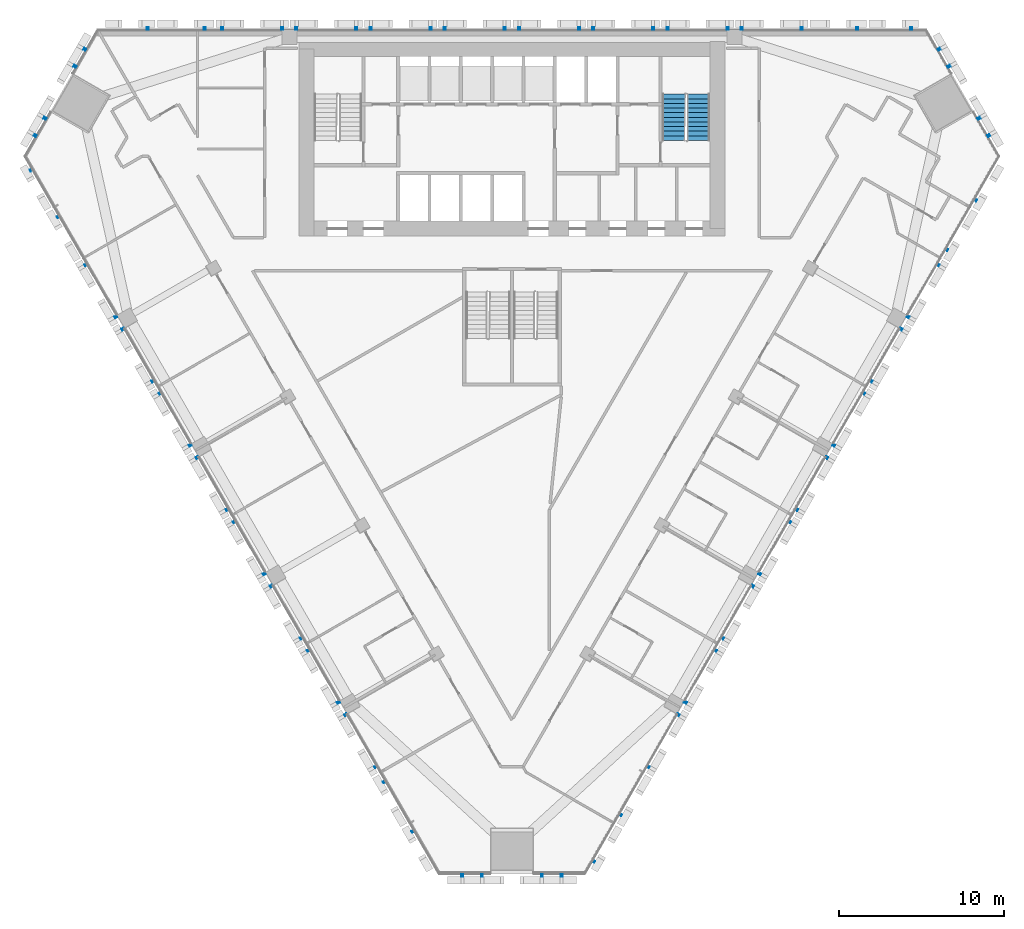
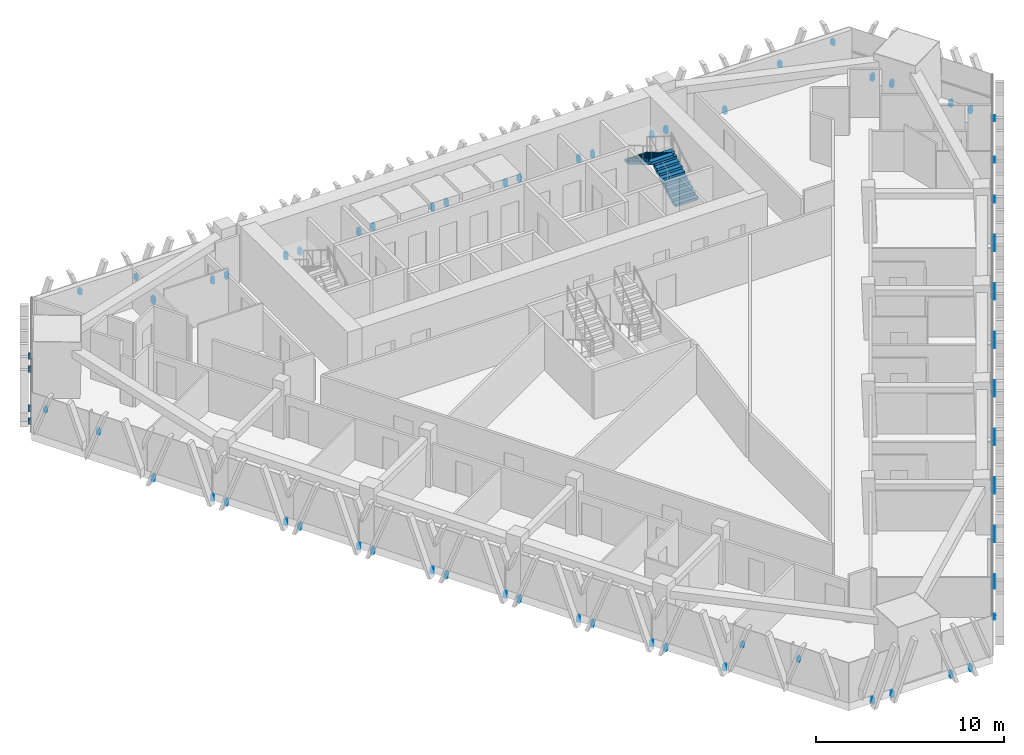
# One storey, part 13 of 16: 6 discrete accessories, 2 stair flights, 1 element without a shape of its own.
"""IFC4 building model written with IfcOpenShell, lengths in metres."""

from ifc_helpers import new_model, si_unit, direction, frame, origin, place, context, subcontext, project, spatial, polyline, outline, extrude, source, transform, mapped, material, type_object, element, aggregate, save


model = new_model("IFC4")

# Units and contexts
model_context = context("Model", 3, precision=1e-05, world=origin(), true_north=direction((0.0, 1.0)))
body_context = subcontext(model_context, "Body", "Model", "MODEL_VIEW")
ifc_project = project(units=[si_unit("LENGTHUNIT", "METRE"), si_unit("AREAUNIT", "SQUARE_METRE"), si_unit("VOLUMEUNIT", "CUBIC_METRE"), si_unit("PLANEANGLEUNIT", "RADIAN"), si_unit("MASSUNIT", "GRAM", prefix="KILO")], contexts=[model_context])

# Site, building, storey
site_placement = place(None, origin())
site = spatial("IfcSite", under=ifc_project, at=site_placement, CompositionType="ELEMENT")
building_placement = place(site_placement, origin())
building = spatial("IfcBuilding", under=site, at=building_placement, Name="Altiplano Prism Tower", CompositionType="ELEMENT")
storey_placement = place(building_placement, frame((0.0, 0.0, 81.0)))
storey = spatial("IfcBuildingStorey", under=building, at=storey_placement, Name="L20", CompositionType="ELEMENT", Elevation=81.0)

# Stair, stair flights
ifc_material_1 = material(Name="Concrete C40/50", Category="concrete")
stair_type = type_object("IfcStairType", Name="Exit stair 1400", PredefinedType="HALF_TURN_STAIR", material=ifc_material_1)
stair_placement = place(storey_placement, origin())
stair = element("IfcStair", 1, at=stair_placement, inside=storey, type_object=stair_type, Name="L20 Exit Stair 2", PredefinedType="HALF_TURN_STAIR")
stair_flight_type = type_object("IfcStairFlightType", Name="Stair flight concrete 150", PredefinedType="STRAIGHT", material=ifc_material_1)
stair_flight_1_placement = place(storey_placement, frame((96.300048828125, 98.300048828125, 0.0), z_axis=(0.0, 0.0, 1.0), x_axis=(0.0, 1.0, 0.0)))
stair_flight_1 = element("IfcStairFlight", 2, at=stair_flight_1_placement, type_object=stair_flight_type, Name="ST2 flight 1", NumberOfRisers=11, NumberOfTreads=10, PredefinedType="STRAIGHT", RiserHeight=0.163636364, TreadLength=0.28, context=body_context, shape_type="SweptSolid", body=[
    extrude(outline(polyline([(0.0, 0.0), (0.0, 0.16357421875), (0.280029296875, 0.16357421875), (0.280029296875, 0.327392578125), (0.56005859375, 0.327392578125), (0.56005859375, 0.490966796875), (0.840087890625, 0.490966796875), (0.840087890625, 0.654541015625), (1.1201171875, 0.654541015625), (1.1201171875, 0.818115234375), (1.39990234375, 0.818115234375), (1.39990234375, 0.98193359375), (1.679931640625, 0.98193359375), (1.679931640625, 1.1455078125), (1.9599609375, 1.1455078125), (1.9599609375, 1.30908203125), (2.239990234375, 1.30908203125), (2.239990234375, 1.47265625), (2.52001953125, 1.47265625), (2.52001953125, 1.636474609375), (2.800048828125, 1.636474609375), (2.800048828125, 1.800048828125), (2.800048828125, 1.462646484375), (0.297119140625, 0.0), (0.0, 0.0)])), frame((0.0, 0.699951171875, 0.0), z_axis=(0.0, -1.0, 0.0), x_axis=(1.0, 0.0, 0.0)), (0.0, 0.0, 1.0), 1.39990234375),
])
stair_flight_2_placement = place(storey_placement, frame((94.800048828125, 101.10009765625, 1.800048828125), z_axis=(0.0, 0.0, 1.0), x_axis=(0.0, -1.0, 0.0)))
stair_flight_2 = element("IfcStairFlight", 3, at=stair_flight_2_placement, type_object=stair_flight_type, Name="ST2 flight 2", NumberOfRisers=11, NumberOfTreads=10, PredefinedType="STRAIGHT", RiserHeight=0.163636364, TreadLength=0.28, context=body_context, shape_type="SweptSolid", body=[
    extrude(outline(polyline([(0.0, 0.0), (0.0, 0.16357421875), (0.280029296875, 0.16357421875), (0.280029296875, 0.327392578125), (0.56005859375, 0.327392578125), (0.56005859375, 0.490966796875), (0.840087890625, 0.490966796875), (0.840087890625, 0.654541015625), (1.1201171875, 0.654541015625), (1.1201171875, 0.818115234375), (1.39990234375, 0.818115234375), (1.39990234375, 0.98193359375), (1.679931640625, 0.98193359375), (1.679931640625, 1.1455078125), (1.9599609375, 1.1455078125), (1.9599609375, 1.30908203125), (2.239990234375, 1.30908203125), (2.239990234375, 1.47265625), (2.52001953125, 1.47265625), (2.52001953125, 1.636474609375), (2.800048828125, 1.636474609375), (2.800048828125, 1.800048828125), (2.800048828125, 1.462646484375), (0.297119140625, 0.0), (0.0, 0.0)])), frame((0.0, 0.699951171875, 0.0), z_axis=(0.0, -1.0, 0.0), x_axis=(1.0, 0.0, 0.0)), (0.0, 0.0, 1.0), 1.39990234375),
])
aggregate(stair, [stair_flight_1, stair_flight_2])

# Discrete accessories
ifc_material_2 = material(Name="Stainless steel", Category="steel")
discrete_accessory_type = type_object("IfcDiscreteAccessoryType", Name="Stone fin fixing prongs", PredefinedType="USERDEFINED", material=ifc_material_2)
shared_shape_1 = source(origin(), body_context, "Body", "SweptSolid", [
    extrude(outline(polyline([(-1.11181640625, 2.20849609375), (-0.991943359375, 2.20849609375), (-0.991943359375, 2.508544921875), (-1.11181640625, 2.508544921875), (-1.11181640625, 2.20849609375)])), frame((0.0, 0.0, 0.0), z_axis=(0.0, -1.0, 0.0), x_axis=(1.0, 0.0, 0.0)), (0.0, 0.0, 1.0), 0.14990234375),
])
shared_shape_2 = source(origin(), body_context, "Body", "SweptSolid", [
    extrude(outline(polyline([(-1.21142578125, 1.934814453125), (-1.091552734375, 1.934814453125), (-1.091552734375, 2.234619140625), (-1.21142578125, 2.234619140625), (-1.21142578125, 1.934814453125)])), frame((0.0, 0.0, 0.0), z_axis=(0.0, -1.0, 0.0), x_axis=(1.0, 0.0, 0.0)), (0.0, 0.0, 1.0), 0.14990234375),
])
shared_shape_3 = source(origin(), body_context, "Body", "SweptSolid", [
    extrude(outline(polyline([(-1.87939453125, 0.06005859375), (-1.75927734375, 0.06005859375), (-1.75927734375, 0.43994140625), (-1.87939453125, 0.43994140625), (-1.87939453125, 0.06005859375)])), frame((0.0, 0.0, 0.0), z_axis=(0.0, -1.0, 0.0), x_axis=(1.0, 0.0, 0.0)), (0.0, 0.0, 1.0), 0.14990234375),
    extrude(outline(polyline([(1.75927734375, 0.06005859375), (1.87939453125, 0.06005859375), (1.87939453125, 0.43994140625), (1.75927734375, 0.43994140625), (1.75927734375, 0.06005859375)])), frame((0.0, 0.0, 0.0), z_axis=(0.0, -1.0, 0.0), x_axis=(1.0, 0.0, 0.0)), (0.0, 0.0, 1.0), 0.14990234375),
])
discrete_accessory_1_placement = place(storey_placement, origin())
element("IfcDiscreteAccessory", 4, at=discrete_accessory_1_placement, inside=storey, type_object=discrete_accessory_type, Name="Fin fixings L20 north face", ObjectType="BRACKET", PredefinedType="USERDEFINED", context=body_context, shape_type="MappedRepresentation", body=[
    mapped(shared_shape_1, transform((108.14599609375, 105.0, -0.5), x_axis=(-1.0, 0.0, 0.0), y_axis=(0.0, -1.0, 0.0), z_axis=(0.0, 0.0, 1.0))),
    mapped(shared_shape_2, transform((104.781982421875, 105.0, -0.5), x_axis=(-1.0, 0.0, 0.0), y_axis=(0.0, -1.0, 0.0), z_axis=(0.0, 0.0, 1.0))),
    mapped(shared_shape_3, transform((100.75, 105.0, -0.5), x_axis=(-1.0, 0.0, 0.0), y_axis=(0.0, -1.0, 0.0), z_axis=(0.0, 0.0, 1.0))),
    mapped(shared_shape_3, transform((96.25, 105.0, -0.5), x_axis=(-1.0, 0.0, 0.0), y_axis=(0.0, -1.0, 0.0), z_axis=(0.0, 0.0, 1.0))),
    mapped(shared_shape_3, transform((91.75, 105.0, -0.5), x_axis=(-1.0, 0.0, 0.0), y_axis=(0.0, -1.0, 0.0), z_axis=(0.0, 0.0, 1.0))),
    mapped(shared_shape_3, transform((87.25, 105.0, -0.5), x_axis=(-1.0, 0.0, 0.0), y_axis=(0.0, -1.0, 0.0), z_axis=(0.0, 0.0, 1.0))),
    mapped(shared_shape_3, transform((82.75, 105.0, -0.5), x_axis=(-1.0, 0.0, 0.0), y_axis=(0.0, -1.0, 0.0), z_axis=(0.0, 0.0, 1.0))),
    mapped(shared_shape_3, transform((78.25, 105.0, -0.5), x_axis=(-1.0, 0.0, 0.0), y_axis=(0.0, -1.0, 0.0), z_axis=(0.0, 0.0, 1.0))),
    mapped(shared_shape_3, transform((73.75, 105.0, -0.5), x_axis=(-1.0, 0.0, 0.0), y_axis=(0.0, -1.0, 0.0), z_axis=(0.0, 0.0, 1.0))),
    mapped(shared_shape_3, transform((69.25, 105.0, -0.5), x_axis=(-1.0, 0.0, 0.0), y_axis=(0.0, -1.0, 0.0), z_axis=(0.0, 0.0, 1.0))),
    mapped(shared_shape_2, transform((65.218017578125, 105.0, -0.5), x_axis=(-1.0, 0.0, 0.0), y_axis=(0.0, -1.0, 0.0), z_axis=(0.0, 0.0, 1.0))),
    mapped(shared_shape_1, transform((61.85400390625, 105.0, -0.5), x_axis=(-1.0, 0.0, 0.0), y_axis=(0.0, -1.0, 0.0), z_axis=(0.0, 0.0, 1.0))),
])
discrete_accessory_2_placement = place(storey_placement, origin())
element("IfcDiscreteAccessory", 5, at=discrete_accessory_2_placement, inside=storey, type_object=discrete_accessory_type, Name="Fin fixings L20 south-west face", ObjectType="BRACKET", PredefinedType="USERDEFINED", context=body_context, shape_type="MappedRepresentation", body=[
    mapped(shared_shape_1, transform((56.4404296875, 95.623291015625, -0.5), x_axis=(0.500000006139, -0.86602540024, 0.0), y_axis=(0.86602540024, 0.500000006139, 0.0), z_axis=(0.0, 0.0, 1.0))),
    mapped(shared_shape_2, transform((58.122314453125, 92.7099609375, -0.5), x_axis=(0.500000006139, -0.86602540024, 0.0), y_axis=(0.86602540024, 0.500000006139, 0.0), z_axis=(0.0, 0.0, 1.0))),
    mapped(shared_shape_3, transform((60.138427734375, 89.218017578125, -0.5), x_axis=(0.500000006139, -0.86602540024, 0.0), y_axis=(0.86602540024, 0.500000006139, 0.0), z_axis=(0.0, 0.0, 1.0))),
    mapped(shared_shape_3, transform((62.388427734375, 85.321044921875, -0.5), x_axis=(0.500000006139, -0.86602540024, 0.0), y_axis=(0.86602540024, 0.500000006139, 0.0), z_axis=(0.0, 0.0, 1.0))),
    mapped(shared_shape_3, transform((64.638427734375, 81.423828125, -0.5), x_axis=(0.500000006139, -0.86602540024, 0.0), y_axis=(0.86602540024, 0.500000006139, 0.0), z_axis=(0.0, 0.0, 1.0))),
    mapped(shared_shape_3, transform((66.888427734375, 77.52685546875, -0.5), x_axis=(0.500000006139, -0.86602540024, 0.0), y_axis=(0.86602540024, 0.500000006139, 0.0), z_axis=(0.0, 0.0, 1.0))),
    mapped(shared_shape_3, transform((69.138427734375, 73.629638671875, -0.5), x_axis=(0.500000006139, -0.86602540024, 0.0), y_axis=(0.86602540024, 0.500000006139, 0.0), z_axis=(0.0, 0.0, 1.0))),
    mapped(shared_shape_3, transform((71.388427734375, 69.732421875, -0.5), x_axis=(0.500000006139, -0.86602540024, 0.0), y_axis=(0.86602540024, 0.500000006139, 0.0), z_axis=(0.0, 0.0, 1.0))),
    mapped(shared_shape_3, transform((73.638427734375, 65.83544921875, -0.5), x_axis=(0.500000006139, -0.86602540024, 0.0), y_axis=(0.86602540024, 0.500000006139, 0.0), z_axis=(0.0, 0.0, 1.0))),
    mapped(shared_shape_3, transform((75.888427734375, 61.938232421875, -0.5), x_axis=(0.500000006139, -0.86602540024, 0.0), y_axis=(0.86602540024, 0.500000006139, 0.0), z_axis=(0.0, 0.0, 1.0))),
    mapped(shared_shape_2, transform((77.904296875, 58.446533203125, -0.5), x_axis=(0.500000006139, -0.86602540024, 0.0), y_axis=(0.86602540024, 0.500000006139, 0.0), z_axis=(0.0, 0.0, 1.0))),
    mapped(shared_shape_1, transform((79.586181640625, 55.533203125, -0.5), x_axis=(0.500000006139, -0.86602540024, 0.0), y_axis=(0.86602540024, 0.500000006139, 0.0), z_axis=(0.0, 0.0, 1.0))),
])
discrete_accessory_3_placement = place(storey_placement, origin())
element("IfcDiscreteAccessory", 6, at=discrete_accessory_3_placement, inside=storey, type_object=discrete_accessory_type, Name="Fin fixings L20 south-east face", ObjectType="BRACKET", PredefinedType="USERDEFINED", context=body_context, shape_type="MappedRepresentation", body=[
    mapped(shared_shape_1, transform((90.413818359375, 55.533203125, -0.5), x_axis=(0.500000006139, 0.86602540024, 0.0), y_axis=(-0.86602540024, 0.500000006139, 0.0), z_axis=(0.0, 0.0, 1.0))),
    mapped(shared_shape_2, transform((92.095703125, 58.446533203125, -0.5), x_axis=(0.500000006139, 0.86602540024, 0.0), y_axis=(-0.86602540024, 0.500000006139, 0.0), z_axis=(0.0, 0.0, 1.0))),
    mapped(shared_shape_3, transform((94.111572265625, 61.938232421875, -0.5), x_axis=(0.500000006139, 0.86602540024, 0.0), y_axis=(-0.86602540024, 0.500000006139, 0.0), z_axis=(0.0, 0.0, 1.0))),
    mapped(shared_shape_3, transform((96.361572265625, 65.83544921875, -0.5), x_axis=(0.500000006139, 0.86602540024, 0.0), y_axis=(-0.86602540024, 0.500000006139, 0.0), z_axis=(0.0, 0.0, 1.0))),
    mapped(shared_shape_3, transform((98.611572265625, 69.732421875, -0.5), x_axis=(0.500000006139, 0.86602540024, 0.0), y_axis=(-0.86602540024, 0.500000006139, 0.0), z_axis=(0.0, 0.0, 1.0))),
    mapped(shared_shape_3, transform((100.861572265625, 73.629638671875, -0.5), x_axis=(0.500000006139, 0.86602540024, 0.0), y_axis=(-0.86602540024, 0.500000006139, 0.0), z_axis=(0.0, 0.0, 1.0))),
    mapped(shared_shape_3, transform((103.111572265625, 77.52685546875, -0.5), x_axis=(0.500000006139, 0.86602540024, 0.0), y_axis=(-0.86602540024, 0.500000006139, 0.0), z_axis=(0.0, 0.0, 1.0))),
    mapped(shared_shape_3, transform((105.361572265625, 81.423828125, -0.5), x_axis=(0.500000006139, 0.86602540024, 0.0), y_axis=(-0.86602540024, 0.500000006139, 0.0), z_axis=(0.0, 0.0, 1.0))),
    mapped(shared_shape_3, transform((107.611572265625, 85.321044921875, -0.5), x_axis=(0.500000006139, 0.86602540024, 0.0), y_axis=(-0.86602540024, 0.500000006139, 0.0), z_axis=(0.0, 0.0, 1.0))),
    mapped(shared_shape_3, transform((109.861572265625, 89.218017578125, -0.5), x_axis=(0.500000006139, 0.86602540024, 0.0), y_axis=(-0.86602540024, 0.500000006139, 0.0), z_axis=(0.0, 0.0, 1.0))),
    mapped(shared_shape_2, transform((111.877685546875, 92.7099609375, -0.5), x_axis=(0.500000006139, 0.86602540024, 0.0), y_axis=(-0.86602540024, 0.500000006139, 0.0), z_axis=(0.0, 0.0, 1.0))),
    mapped(shared_shape_1, transform((113.5595703125, 95.623046875, -0.5), x_axis=(0.500000006139, 0.86602540024, 0.0), y_axis=(-0.86602540024, 0.500000006139, 0.0), z_axis=(0.0, 0.0, 1.0))),
])
shared_shape_4 = source(origin(), body_context, "Body", "SweptSolid", [
    extrude(outline(polyline([(-3.079345703125, 0.06005859375), (-2.959228515625, 0.06005859375), (-2.959228515625, 0.43994140625), (-3.079345703125, 0.43994140625), (-3.079345703125, 0.06005859375)])), frame((0.0, 0.0, 0.0), z_axis=(0.0, -1.0, 0.0), x_axis=(1.0, 0.0, 0.0)), (0.0, 0.0, 1.0), 0.14990234375),
    extrude(outline(polyline([(-1.87939453125, 0.06005859375), (-1.75927734375, 0.06005859375), (-1.75927734375, 0.43994140625), (-1.87939453125, 0.43994140625), (-1.87939453125, 0.06005859375)])), frame((0.0, 0.0, 0.0), z_axis=(0.0, -1.0, 0.0), x_axis=(1.0, 0.0, 0.0)), (0.0, 0.0, 1.0), 0.14990234375),
    extrude(outline(polyline([(1.75927734375, 0.06005859375), (1.87939453125, 0.06005859375), (1.87939453125, 0.43994140625), (1.75927734375, 0.43994140625), (1.75927734375, 0.06005859375)])), frame((0.0, 0.0, 0.0), z_axis=(0.0, -1.0, 0.0), x_axis=(1.0, 0.0, 0.0)), (0.0, 0.0, 1.0), 0.14990234375),
    extrude(outline(polyline([(2.959228515625, 0.06005859375), (3.079345703125, 0.06005859375), (3.079345703125, 0.43994140625), (2.959228515625, 0.43994140625), (2.959228515625, 0.06005859375)])), frame((0.0, 0.0, 0.0), z_axis=(0.0, -1.0, 0.0), x_axis=(1.0, 0.0, 0.0)), (0.0, 0.0, 1.0), 0.14990234375),
])
discrete_accessory_4_placement = place(storey_placement, origin())
element("IfcDiscreteAccessory", 7, at=discrete_accessory_4_placement, inside=storey, type_object=discrete_accessory_type, Name="Fin fixings L20 north-west chamfer", ObjectType="BRACKET", PredefinedType="USERDEFINED", context=body_context, shape_type="MappedRepresentation", body=[
    mapped(shared_shape_4, transform((57.66064453125, 101.169921875, -0.5), x_axis=(-0.499999935135, -0.866025441234, 0.0), y_axis=(0.866025441234, -0.499999935135, 0.0), z_axis=(0.0, 0.0, 1.0))),
])
discrete_accessory_5_placement = place(storey_placement, origin())
element("IfcDiscreteAccessory", 8, at=discrete_accessory_5_placement, inside=storey, type_object=discrete_accessory_type, Name="Fin fixings L20 south chamfer", ObjectType="BRACKET", PredefinedType="USERDEFINED", context=body_context, shape_type="MappedRepresentation", body=[
    mapped(shared_shape_4, transform((85.0, 53.816650390625, -0.5), x_axis=(1.0, 0.0, 0.0), y_axis=(0.0, 1.0, 0.0), z_axis=(0.0, 0.0, 1.0))),
])
discrete_accessory_6_placement = place(storey_placement, origin())
element("IfcDiscreteAccessory", 9, at=discrete_accessory_6_placement, inside=storey, type_object=discrete_accessory_type, Name="Fin fixings L20 north-east chamfer", ObjectType="BRACKET", PredefinedType="USERDEFINED", context=body_context, shape_type="MappedRepresentation", body=[
    mapped(shared_shape_4, transform((112.33935546875, 101.169921875, -0.5), x_axis=(-0.499999935135, 0.866025441234, 0.0), y_axis=(-0.866025441234, -0.499999935135, 0.0), z_axis=(0.0, 0.0, 1.0))),
])

save(model, "model.ifc")
